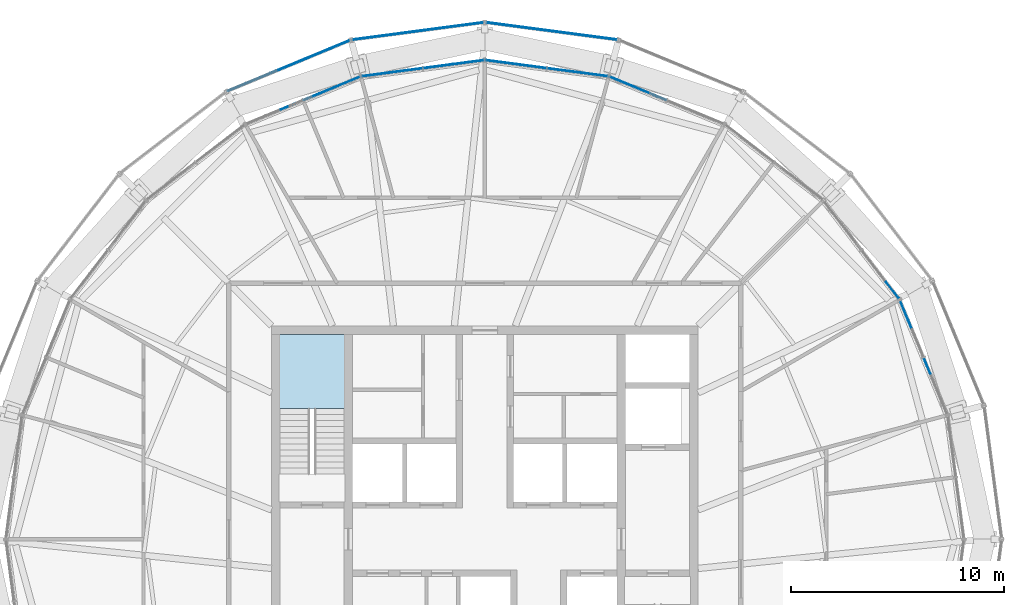
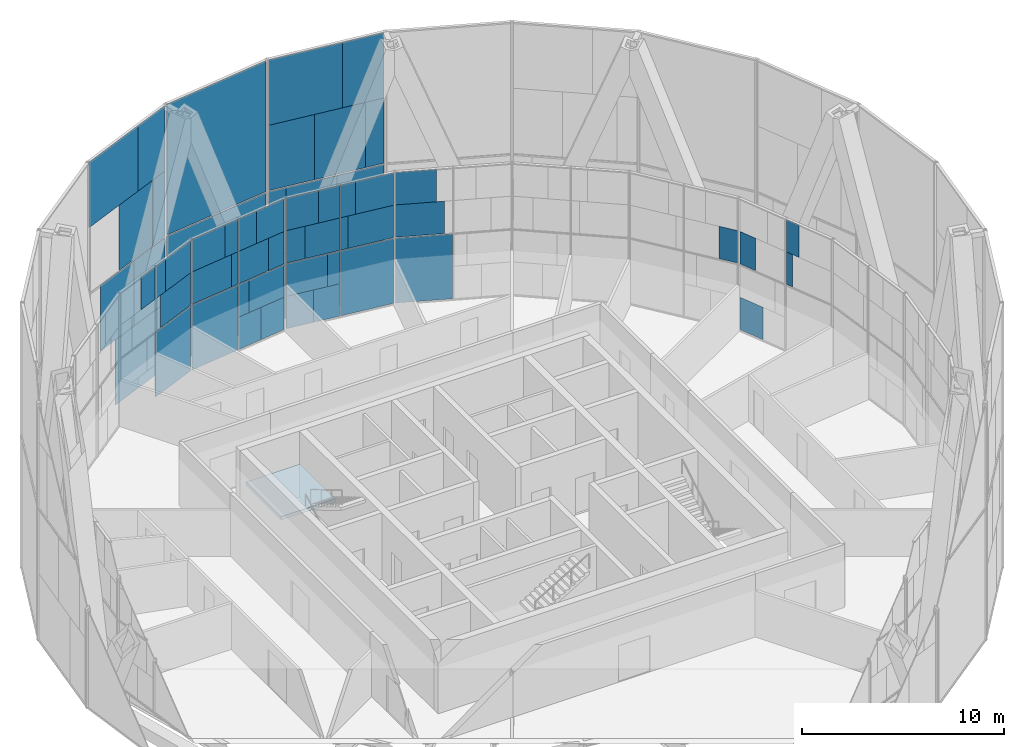
# One storey, part 16 of 22: 58 plates, 1 slab, 10 elements without a shape of their own.
"""IFC4 building model written with IfcOpenShell, lengths in metres."""

from ifc_helpers import new_model, si_unit, direction, frame, origin, origin_2d, place, context, subcontext, project, spatial, polyline, rectangle, outline, extrude, material, layer, layer_set, type_object, element, aggregate, save


model = new_model("IFC4")

# Units and contexts
model_context = context("Model", 3, precision=1e-05, world=origin(), true_north=direction((0.0, 1.0)))
body_context = subcontext(model_context, "Body", "Model", "MODEL_VIEW")
ifc_project = project(units=[si_unit("LENGTHUNIT", "METRE"), si_unit("AREAUNIT", "SQUARE_METRE"), si_unit("VOLUMEUNIT", "CUBIC_METRE"), si_unit("PLANEANGLEUNIT", "RADIAN"), si_unit("MASSUNIT", "GRAM", prefix="KILO")], contexts=[model_context])

# Site, building, storey
site_placement = place(None, origin())
site = spatial("IfcSite", under=ifc_project, at=site_placement, CompositionType="ELEMENT")
building_placement = place(site_placement, origin())
building = spatial("IfcBuilding", under=site, at=building_placement, Name="Golbaran Civic Tower", CompositionType="ELEMENT")
storey_placement = place(building_placement, frame((0.0, 0.0, 248.0)))
storey = spatial("IfcBuildingStorey", under=building, at=storey_placement, Name="L60", CompositionType="ELEMENT", Elevation=248.0)

# Curtain wall, plate
ifc_material_1 = material(Name="Aluminium and glass", Category="aluminium")
curtain_wall_type_1 = type_object("IfcCurtainWallType", Name="INNER SKIN CURTAIN WALL EXECUTIVE", PredefinedType="NOTDEFINED", material=ifc_material_1)
curtain_wall_1_placement = place(storey_placement, origin())
curtain_wall_1 = element("IfcCurtainWall", 1, at=curtain_wall_1_placement, inside=storey, type_object=curtain_wall_type_1, Name="Inner skin L60 facet 2 CW2", ObjectType="INNER SKIN", PredefinedType="USERDEFINED")
ifc_material_2 = material(Name="Clear insulating glass", Category="glass")
ifc_layer_1 = layer(ifc_material_2, 0.031982421875, Name="Clear insulating glass")
ifc_layer_set_1 = layer_set([ifc_layer_1], Name="Clear insulating glass")
plate_type_1 = type_object("IfcPlateType", Name="INNER SKIN CURTAIN WALL EXECUTIVE GLAZED PANEL", PredefinedType="CURTAIN_PANEL", material=ifc_layer_set_1)
plate_1_placement = place(storey_placement, frame((19.656982421875, 10.712158203125, 4.030029296875), z_axis=(0.0, 0.0, 1.0), x_axis=(-0.382683432381, 0.923879532505, 0.0)))
plate_1 = element("IfcPlate", 2, at=plate_1_placement, type_object=plate_type_1, Name="CW2 panel 2.2 part 2", PredefinedType="CURTAIN_PANEL", context=body_context, shape_type="SweptSolid", body=[
    extrude(rectangle(XDim=0.99267578125, YDim=0.031982421875, at=origin_2d()), origin(), (0.0, 0.0, 1.0), 1.955078125),
])

curtain_wall_2_placement = place(storey_placement, origin())
curtain_wall_2 = element("IfcCurtainWall", 3, at=curtain_wall_2_placement, inside=storey, type_object=curtain_wall_type_1, Name="Inner skin L60 facet 3 CW2", ObjectType="INNER SKIN", PredefinedType="USERDEFINED")
plate_2_placement = place(storey_placement, frame((19.105224609375, 11.66748046875, 4.030029296875), z_axis=(0.0, 0.0, 1.0), x_axis=(-0.608761429078, 0.793353340238, 0.0)))
plate_2 = element("IfcPlate", 4, at=plate_2_placement, type_object=plate_type_1, Name="CW2 panel 1.2 part 1", PredefinedType="CURTAIN_PANEL", context=body_context, shape_type="SweptSolid", body=[
    extrude(rectangle(XDim=0.992919921875, YDim=0.031982421875, at=origin_2d()), origin(), (0.0, 0.0, 1.0), 1.955078125),
])
aggregate(curtain_wall_2, [plate_2])

# Curtain wall, plates
curtain_wall_3_placement = place(storey_placement, origin())
curtain_wall_3 = element("IfcCurtainWall", 5, at=curtain_wall_3_placement, inside=storey, type_object=curtain_wall_type_1, Name="Inner skin L60 facet 5 CW2", ObjectType="INNER SKIN", PredefinedType="USERDEFINED")
plate_3_placement = place(storey_placement, frame((7.1787109375, 21.12060546875, 0.06005859375), z_axis=(0.0, 0.0, 1.0), x_axis=(-0.923879532505, 0.382683432381, 0.0)))
plate_3 = element("IfcPlate", 6, at=plate_3_placement, type_object=plate_type_1, Name="CW2 panel 2.1", PredefinedType="CURTAIN_PANEL", context=body_context, shape_type="SweptSolid", body=[
    extrude(rectangle(XDim=2.840576171875, YDim=0.031982421875, at=origin_2d()), origin(), (0.0, 0.0, 1.0), 3.909912109375),
])
plate_4_placement = place(storey_placement, frame((6.993896484375, 21.197021484375, 4.030029296875), z_axis=(0.0, 0.0, 1.0), x_axis=(-0.923879532505, 0.382683432381, 0.0)))
plate_4 = element("IfcPlate", 7, at=plate_4_placement, type_object=plate_type_1, Name="CW2 panel 2.2 part 2", PredefinedType="CURTAIN_PANEL", context=body_context, shape_type="SweptSolid", body=[
    extrude(rectangle(XDim=2.440673828125, YDim=0.031982421875, at=origin_2d()), origin(), (0.0, 0.0, 1.0), 1.955078125),
])
plate_5_placement = place(storey_placement, frame((6.810546875, 21.27294921875, 5.98486328125), z_axis=(0.0, 0.0, 1.0), x_axis=(-0.923879532505, 0.382683432381, 0.0)))
plate_5 = element("IfcPlate", 8, at=plate_5_placement, type_object=plate_type_1, Name="CW2 panel 2.2 part 4", PredefinedType="CURTAIN_PANEL", context=body_context, shape_type="SweptSolid", body=[
    extrude(rectangle(XDim=2.04345703125, YDim=0.031982421875, at=origin_2d()), origin(), (0.0, 0.0, 1.0), 1.955078125),
])
aggregate(curtain_wall_3, [plate_3, plate_4, plate_5])

curtain_wall_4_placement = place(storey_placement, origin())
curtain_wall_4 = element("IfcCurtainWall", 9, at=curtain_wall_4_placement, inside=storey, type_object=curtain_wall_type_1, Name="Inner skin L60 facet 6 CW2", ObjectType="INNER SKIN", PredefinedType="USERDEFINED")
plate_6_placement = place(storey_placement, frame((4.34326171875, 21.880126953125, 0.06005859375), z_axis=(0.0, 0.0, 1.0), x_axis=(-0.991444861378, 0.130526192185, 0.0)))
plate_6 = element("IfcPlate", 10, at=plate_6_placement, type_object=plate_type_1, Name="CW2 panel 1.1", PredefinedType="CURTAIN_PANEL", context=body_context, shape_type="SweptSolid", body=[
    extrude(rectangle(XDim=2.840576171875, YDim=0.031982421875, at=origin_2d()), origin(), (0.0, 0.0, 1.0), 3.909912109375),
])
plate_7_placement = place(storey_placement, frame((4.54248046875, 21.85400390625, 4.030029296875), z_axis=(0.0, 0.0, 1.0), x_axis=(-0.991444861378, 0.130526192185, 0.0)))
plate_7 = element("IfcPlate", 11, at=plate_7_placement, type_object=plate_type_1, Name="CW2 panel 1.2 part 1", PredefinedType="CURTAIN_PANEL", context=body_context, shape_type="SweptSolid", body=[
    extrude(rectangle(XDim=2.43896484375, YDim=0.031982421875, at=origin_2d()), origin(), (0.0, 0.0, 1.0), 1.955078125),
])
plate_8_placement = place(storey_placement, frame((4.73876953125, 21.828125, 5.98486328125), z_axis=(0.0, 0.0, 1.0), x_axis=(-0.991444861378, 0.130526192185, 0.0)))
plate_8 = element("IfcPlate", 12, at=plate_8_placement, type_object=plate_type_1, Name="CW2 panel 1.2 part 3", PredefinedType="CURTAIN_PANEL", context=body_context, shape_type="SweptSolid", body=[
    extrude(rectangle(XDim=2.04296875, YDim=0.031982421875, at=origin_2d()), origin(), (0.0, 0.0, 1.0), 1.955078125),
])
plate_9_placement = place(storey_placement, frame((2.190185546875, 22.16357421875, 0.06005859375), z_axis=(0.0, 0.0, 1.0), x_axis=(-0.991444861378, 0.130526192185, 0.0)))
plate_9 = element("IfcPlate", 13, at=plate_9_placement, type_object=plate_type_1, Name="CW2 panel 2.1 part 1", PredefinedType="CURTAIN_PANEL", context=body_context, shape_type="SweptSolid", body=[
    extrude(rectangle(XDim=1.383056640625, YDim=0.031982421875, at=origin_2d()), origin(), (0.0, 0.0, 1.0), 1.955078125),
])
plate_10_placement = place(storey_placement, frame((2.556396484375, 22.115478515625, 2.014892578125), z_axis=(0.0, 0.0, 1.0), x_axis=(-0.991444861378, 0.130526192185, 0.0)))
plate_10 = element("IfcPlate", 14, at=plate_10_placement, type_object=plate_type_1, Name="CW2 panel 2.1 part 3", PredefinedType="CURTAIN_PANEL", context=body_context, shape_type="SweptSolid", body=[
    extrude(rectangle(XDim=0.64404296875, YDim=0.031982421875, at=origin_2d()), origin(), (0.0, 0.0, 1.0), 1.955078125),
])
plate_11_placement = place(storey_placement, frame((0.551513671875, 22.37939453125, 4.030029296875), z_axis=(0.0, 0.0, 1.0), x_axis=(-0.991444861378, 0.130526192185, 0.0)))
plate_11 = element("IfcPlate", 15, at=plate_11_placement, type_object=plate_type_1, Name="CW2 panel 2.2 part 2", PredefinedType="CURTAIN_PANEL", context=body_context, shape_type="SweptSolid", body=[
    extrude(rectangle(XDim=0.99267578125, YDim=0.031982421875, at=origin_2d()), origin(), (0.0, 0.0, 1.0), 1.955078125),
])
plate_12_placement = place(storey_placement, frame((0.91845703125, 22.3310546875, 5.98486328125), z_axis=(0.0, 0.0, 1.0), x_axis=(-0.991444861378, 0.130526192185, 0.0)))
plate_12 = element("IfcPlate", 16, at=plate_12_placement, type_object=plate_type_1, Name="CW2 panel 2.2 part 4", PredefinedType="CURTAIN_PANEL", context=body_context, shape_type="SweptSolid", body=[
    extrude(rectangle(XDim=1.732666015625, YDim=0.031982421875, at=origin_2d()), origin(), (0.0, 0.0, 1.0), 1.955078125),
])

curtain_wall_5_placement = place(storey_placement, origin())
curtain_wall_5 = element("IfcCurtainWall", 17, at=curtain_wall_5_placement, inside=storey, type_object=curtain_wall_type_1, Name="Inner skin L60 facet 7 CW2", ObjectType="INNER SKIN", PredefinedType="USERDEFINED")
plate_13_placement = place(storey_placement, frame((-2.18994140625, 22.16357421875, 0.06005859375), z_axis=(0.0, 0.0, 1.0), x_axis=(-0.991444861378, -0.130526192185, 0.0)))
plate_13 = element("IfcPlate", 18, at=plate_13_placement, type_object=plate_type_1, Name="CW2 panel 1.1 part 2", PredefinedType="CURTAIN_PANEL", context=body_context, shape_type="SweptSolid", body=[
    extrude(rectangle(XDim=1.383544921875, YDim=0.031982421875, at=origin_2d()), origin(), (0.0, 0.0, 1.0), 1.955078125),
])
plate_14_placement = place(storey_placement, frame((-2.55615234375, 22.115478515625, 2.014892578125), z_axis=(0.0, 0.0, 1.0), x_axis=(-0.991444861378, -0.130526192185, 0.0)))
plate_14 = element("IfcPlate", 19, at=plate_14_placement, type_object=plate_type_1, Name="CW2 panel 1.1 part 4", PredefinedType="CURTAIN_PANEL", context=body_context, shape_type="SweptSolid", body=[
    extrude(rectangle(XDim=0.64453125, YDim=0.031982421875, at=origin_2d()), origin(), (0.0, 0.0, 1.0), 1.955078125),
])
plate_15_placement = place(storey_placement, frame((-0.5517578125, 22.37939453125, 4.030029296875), z_axis=(0.0, 0.0, 1.0), x_axis=(-0.991444861378, -0.130526192185, 0.0)))
plate_15 = element("IfcPlate", 20, at=plate_15_placement, type_object=plate_type_1, Name="CW2 panel 1.2 part 1", PredefinedType="CURTAIN_PANEL", context=body_context, shape_type="SweptSolid", body=[
    extrude(rectangle(XDim=0.992919921875, YDim=0.031982421875, at=origin_2d()), origin(), (0.0, 0.0, 1.0), 1.955078125),
])
plate_16_placement = place(storey_placement, frame((-0.91796875, 22.3310546875, 5.98486328125), z_axis=(0.0, 0.0, 1.0), x_axis=(-0.991444861378, -0.130526192185, 0.0)))
plate_16 = element("IfcPlate", 21, at=plate_16_placement, type_object=plate_type_1, Name="CW2 panel 1.2 part 3", PredefinedType="CURTAIN_PANEL", context=body_context, shape_type="SweptSolid", body=[
    extrude(rectangle(XDim=1.73193359375, YDim=0.031982421875, at=origin_2d()), origin(), (0.0, 0.0, 1.0), 1.955078125),
])
plate_17_placement = place(storey_placement, frame((-4.34326171875, 21.880126953125, 0.06005859375), z_axis=(0.0, 0.0, 1.0), x_axis=(-0.991444861378, -0.130526192185, 0.0)))
plate_17 = element("IfcPlate", 22, at=plate_17_placement, type_object=plate_type_1, Name="CW2 panel 2.1", PredefinedType="CURTAIN_PANEL", context=body_context, shape_type="SweptSolid", body=[
    extrude(rectangle(XDim=2.840576171875, YDim=0.031982421875, at=origin_2d()), origin(), (0.0, 0.0, 1.0), 3.909912109375),
])
plate_18_placement = place(storey_placement, frame((-4.541748046875, 21.85400390625, 4.030029296875), z_axis=(0.0, 0.0, 1.0), x_axis=(-0.991444861378, -0.130526192185, 0.0)))
plate_18 = element("IfcPlate", 23, at=plate_18_placement, type_object=plate_type_1, Name="CW2 panel 2.2 part 2", PredefinedType="CURTAIN_PANEL", context=body_context, shape_type="SweptSolid", body=[
    extrude(rectangle(XDim=2.440673828125, YDim=0.031982421875, at=origin_2d()), origin(), (0.0, 0.0, 1.0), 1.955078125),
])
plate_19_placement = place(storey_placement, frame((-4.738525390625, 21.828125, 5.98486328125), z_axis=(0.0, 0.0, 1.0), x_axis=(-0.991444861378, -0.130526192185, 0.0)))
plate_19 = element("IfcPlate", 24, at=plate_19_placement, type_object=plate_type_1, Name="CW2 panel 2.2 part 4", PredefinedType="CURTAIN_PANEL", context=body_context, shape_type="SweptSolid", body=[
    extrude(rectangle(XDim=2.04345703125, YDim=0.031982421875, at=origin_2d()), origin(), (0.0, 0.0, 1.0), 1.955078125),
])

curtain_wall_6_placement = place(storey_placement, origin())
curtain_wall_6 = element("IfcCurtainWall", 25, at=curtain_wall_6_placement, inside=storey, type_object=curtain_wall_type_1, Name="Inner skin L60 facet 8 CW2", ObjectType="INNER SKIN", PredefinedType="USERDEFINED")
plate_20_placement = place(storey_placement, frame((-7.1787109375, 21.12060546875, 0.06005859375), z_axis=(0.0, 0.0, 1.0), x_axis=(-0.923879532505, -0.382683432381, 0.0)))
plate_20 = element("IfcPlate", 26, at=plate_20_placement, type_object=plate_type_1, Name="CW2 panel 1.1", PredefinedType="CURTAIN_PANEL", context=body_context, shape_type="SweptSolid", body=[
    extrude(rectangle(XDim=2.840576171875, YDim=0.031982421875, at=origin_2d()), origin(), (0.0, 0.0, 1.0), 3.909912109375),
])
plate_21_placement = place(storey_placement, frame((-6.9931640625, 21.197265625, 4.030029296875), z_axis=(0.0, 0.0, 1.0), x_axis=(-0.923879532505, -0.382683432381, 0.0)))
plate_21 = element("IfcPlate", 27, at=plate_21_placement, type_object=plate_type_1, Name="CW2 panel 1.2 part 1", PredefinedType="CURTAIN_PANEL", context=body_context, shape_type="SweptSolid", body=[
    extrude(rectangle(XDim=2.43896484375, YDim=0.031982421875, at=origin_2d()), origin(), (0.0, 0.0, 1.0), 1.955078125),
])
plate_22_placement = place(storey_placement, frame((-6.810302734375, 21.273193359375, 5.98486328125), z_axis=(0.0, 0.0, 1.0), x_axis=(-0.923879532505, -0.382683432381, 0.0)))
plate_22 = element("IfcPlate", 28, at=plate_22_placement, type_object=plate_type_1, Name="CW2 panel 1.2 part 3", PredefinedType="CURTAIN_PANEL", context=body_context, shape_type="SweptSolid", body=[
    extrude(rectangle(XDim=2.04296875, YDim=0.031982421875, at=origin_2d()), origin(), (0.0, 0.0, 1.0), 1.955078125),
])

# Plate
ifc_material_3 = material(Name="Aluminium faced opaque infill panel", Category="aluminium")
ifc_layer_2 = layer(ifc_material_3, 0.031982421875, Name="Aluminium faced opaque infill panel")
ifc_layer_set_2 = layer_set([ifc_layer_2], Name="Aluminium faced opaque infill panel")
plate_type_2 = type_object("IfcPlateType", Name="INNER SKIN CURTAIN WALL EXECUTIVE OPAQUE INFILL PANEL", PredefinedType="CURTAIN_PANEL", material=ifc_layer_set_2)
plate_23_placement = place(storey_placement, frame((20.65380859375, 8.30517578125, 4.030029296875), z_axis=(0.0, 0.0, 1.0), x_axis=(-0.382683432381, 0.923879532505, 0.0)))
plate_23 = element("IfcPlate", 29, at=plate_23_placement, type_object=plate_type_2, Name="CW2 infill panel 1.2 part 2", PredefinedType="CURTAIN_PANEL", context=body_context, shape_type="SweptSolid", body=[
    extrude(rectangle(XDim=0.401611328125, YDim=0.031982421875, at=origin_2d()), origin(), (0.0, 0.0, 1.0), 1.955078125),
])

plate_24_placement = place(storey_placement, frame((20.7294921875, 8.122314453125, 5.98486328125), z_axis=(0.0, 0.0, 1.0), x_axis=(-0.382683432381, 0.923879532505, 0.0)))
plate_24 = element("IfcPlate", 30, at=plate_24_placement, type_object=plate_type_2, Name="CW2 infill panel 1.2 part 4", PredefinedType="CURTAIN_PANEL", context=body_context, shape_type="SweptSolid", body=[
    extrude(rectangle(XDim=0.797607421875, YDim=0.031982421875, at=origin_2d()), origin(), (0.0, 0.0, 1.0), 1.955078125),
])

plate_25_placement = place(storey_placement, frame((19.745849609375, 10.497314453125, 0.06005859375), z_axis=(0.0, 0.0, 1.0), x_axis=(-0.382683432381, 0.923879532505, 0.0)))
plate_25 = element("IfcPlate", 31, at=plate_25_placement, type_object=plate_type_2, Name="CW2 infill panel 2.1 part 2", PredefinedType="CURTAIN_PANEL", context=body_context, shape_type="SweptSolid", body=[
    extrude(rectangle(XDim=1.45751953125, YDim=0.031982421875, at=origin_2d()), origin(), (0.0, 0.0, 1.0), 1.955078125),
])

aggregate(curtain_wall_1, [plate_23, plate_24, plate_25, plate_1])

plate_26_placement = place(storey_placement, frame((3.13427734375, 22.039306640625, 4.030029296875), z_axis=(0.0, 0.0, 1.0), x_axis=(-0.991444861378, 0.130526192185, 0.0)))
plate_26 = element("IfcPlate", 32, at=plate_26_placement, type_object=plate_type_2, Name="CW2 infill panel 1.2 part 2", PredefinedType="CURTAIN_PANEL", context=body_context, shape_type="SweptSolid", body=[
    extrude(rectangle(XDim=0.401611328125, YDim=0.031982421875, at=origin_2d()), origin(), (0.0, 0.0, 1.0), 1.955078125),
])

plate_27_placement = place(storey_placement, frame((3.33056640625, 22.013427734375, 5.98486328125), z_axis=(0.0, 0.0, 1.0), x_axis=(-0.991444861378, 0.130526192185, 0.0)))
plate_27 = element("IfcPlate", 33, at=plate_27_placement, type_object=plate_type_2, Name="CW2 infill panel 1.2 part 4", PredefinedType="CURTAIN_PANEL", context=body_context, shape_type="SweptSolid", body=[
    extrude(rectangle(XDim=0.797607421875, YDim=0.031982421875, at=origin_2d()), origin(), (0.0, 0.0, 1.0), 1.955078125),
])

plate_28_placement = place(storey_placement, frame((0.781982421875, 22.34912109375, 0.06005859375), z_axis=(0.0, 0.0, 1.0), x_axis=(-0.991444861378, 0.130526192185, 0.0)))
plate_28 = element("IfcPlate", 34, at=plate_28_placement, type_object=plate_type_2, Name="CW2 infill panel 2.1 part 2", PredefinedType="CURTAIN_PANEL", context=body_context, shape_type="SweptSolid", body=[
    extrude(rectangle(XDim=1.45751953125, YDim=0.031982421875, at=origin_2d()), origin(), (0.0, 0.0, 1.0), 1.955078125),
])

plate_29_placement = place(storey_placement, frame((1.1484375, 22.30078125, 2.014892578125), z_axis=(0.0, 0.0, 1.0), x_axis=(-0.991444861378, 0.130526192185, 0.0)))
plate_29 = element("IfcPlate", 35, at=plate_29_placement, type_object=plate_type_2, Name="CW2 infill panel 2.1 part 4", PredefinedType="CURTAIN_PANEL", context=body_context, shape_type="SweptSolid", body=[
    extrude(rectangle(XDim=2.196533203125, YDim=0.031982421875, at=origin_2d()), origin(), (0.0, 0.0, 1.0), 1.955078125),
])

plate_30_placement = place(storey_placement, frame((1.959716796875, 22.194091796875, 4.030029296875), z_axis=(0.0, 0.0, 1.0), x_axis=(-0.991444861378, 0.130526192185, 0.0)))
plate_30 = element("IfcPlate", 36, at=plate_30_placement, type_object=plate_type_2, Name="CW2 infill panel 2.2 part 1", PredefinedType="CURTAIN_PANEL", context=body_context, shape_type="SweptSolid", body=[
    extrude(rectangle(XDim=1.847900390625, YDim=0.031982421875, at=origin_2d()), origin(), (0.0, 0.0, 1.0), 1.955078125),
])

plate_31_placement = place(storey_placement, frame((2.326416015625, 22.145751953125, 5.98486328125), z_axis=(0.0, 0.0, 1.0), x_axis=(-0.991444861378, 0.130526192185, 0.0)))
plate_31 = element("IfcPlate", 37, at=plate_31_placement, type_object=plate_type_2, Name="CW2 infill panel 2.2 part 3", PredefinedType="CURTAIN_PANEL", context=body_context, shape_type="SweptSolid", body=[
    extrude(rectangle(XDim=1.10791015625, YDim=0.031982421875, at=origin_2d()), origin(), (0.0, 0.0, 1.0), 1.955078125),
])

aggregate(curtain_wall_4, [plate_6, plate_7, plate_26, plate_8, plate_27, plate_9, plate_28, plate_10, plate_29, plate_30, plate_11, plate_31, plate_12])

plate_32_placement = place(storey_placement, frame((-0.78173828125, 22.34912109375, 0.06005859375), z_axis=(0.0, 0.0, 1.0), x_axis=(-0.991444861378, -0.130526192185, 0.0)))
plate_32 = element("IfcPlate", 38, at=plate_32_placement, type_object=plate_type_2, Name="CW2 infill panel 1.1 part 1", PredefinedType="CURTAIN_PANEL", context=body_context, shape_type="SweptSolid", body=[
    extrude(rectangle(XDim=1.45703125, YDim=0.031982421875, at=origin_2d()), origin(), (0.0, 0.0, 1.0), 1.955078125),
])

plate_33_placement = place(storey_placement, frame((-1.148193359375, 22.30078125, 2.014892578125), z_axis=(0.0, 0.0, 1.0), x_axis=(-0.991444861378, -0.130526192185, 0.0)))
plate_33 = element("IfcPlate", 39, at=plate_33_placement, type_object=plate_type_2, Name="CW2 infill panel 1.1 part 3", PredefinedType="CURTAIN_PANEL", context=body_context, shape_type="SweptSolid", body=[
    extrude(rectangle(XDim=2.196044921875, YDim=0.031982421875, at=origin_2d()), origin(), (0.0, 0.0, 1.0), 1.955078125),
])

plate_34_placement = place(storey_placement, frame((-1.9599609375, 22.194091796875, 4.030029296875), z_axis=(0.0, 0.0, 1.0), x_axis=(-0.991444861378, -0.130526192185, 0.0)))
plate_34 = element("IfcPlate", 40, at=plate_34_placement, type_object=plate_type_2, Name="CW2 infill panel 1.2 part 2", PredefinedType="CURTAIN_PANEL", context=body_context, shape_type="SweptSolid", body=[
    extrude(rectangle(XDim=1.84765625, YDim=0.031982421875, at=origin_2d()), origin(), (0.0, 0.0, 1.0), 1.955078125),
])

plate_35_placement = place(storey_placement, frame((-2.326171875, 22.145751953125, 5.98486328125), z_axis=(0.0, 0.0, 1.0), x_axis=(-0.991444861378, -0.130526192185, 0.0)))
plate_35 = element("IfcPlate", 41, at=plate_35_placement, type_object=plate_type_2, Name="CW2 infill panel 1.2 part 4", PredefinedType="CURTAIN_PANEL", context=body_context, shape_type="SweptSolid", body=[
    extrude(rectangle(XDim=1.108642578125, YDim=0.031982421875, at=origin_2d()), origin(), (0.0, 0.0, 1.0), 1.955078125),
])

plate_36_placement = place(storey_placement, frame((-3.133544921875, 22.03955078125, 4.030029296875), z_axis=(0.0, 0.0, 1.0), x_axis=(-0.991444861378, -0.130526192185, 0.0)))
plate_36 = element("IfcPlate", 42, at=plate_36_placement, type_object=plate_type_2, Name="CW2 infill panel 2.2 part 1", PredefinedType="CURTAIN_PANEL", context=body_context, shape_type="SweptSolid", body=[
    extrude(rectangle(XDim=0.39990234375, YDim=0.031982421875, at=origin_2d()), origin(), (0.0, 0.0, 1.0), 1.955078125),
])

plate_37_placement = place(storey_placement, frame((-3.330322265625, 22.013671875, 5.98486328125), z_axis=(0.0, 0.0, 1.0), x_axis=(-0.991444861378, -0.130526192185, 0.0)))
plate_37 = element("IfcPlate", 43, at=plate_37_placement, type_object=plate_type_2, Name="CW2 infill panel 2.2 part 3", PredefinedType="CURTAIN_PANEL", context=body_context, shape_type="SweptSolid", body=[
    extrude(rectangle(XDim=0.797119140625, YDim=0.031982421875, at=origin_2d()), origin(), (0.0, 0.0, 1.0), 1.955078125),
])

aggregate(curtain_wall_5, [plate_32, plate_13, plate_33, plate_14, plate_15, plate_34, plate_16, plate_35, plate_17, plate_36, plate_18, plate_37, plate_19])

plate_38_placement = place(storey_placement, frame((-8.122314453125, 20.7294921875, 5.98486328125), z_axis=(0.0, 0.0, 1.0), x_axis=(-0.923879532505, -0.382683432381, 0.0)))
plate_38 = element("IfcPlate", 44, at=plate_38_placement, type_object=plate_type_2, Name="CW2 infill panel 1.2 part 4", PredefinedType="CURTAIN_PANEL", context=body_context, shape_type="SweptSolid", body=[
    extrude(rectangle(XDim=0.797607421875, YDim=0.031982421875, at=origin_2d()), origin(), (0.0, 0.0, 1.0), 1.955078125),
])

plate_39_placement = place(storey_placement, frame((-9.05810546875, 20.342041015625, 5.98486328125), z_axis=(0.0, 0.0, 1.0), x_axis=(-0.923879532505, -0.382683432381, 0.0)))
plate_39 = element("IfcPlate", 45, at=plate_39_placement, type_object=plate_type_2, Name="CW2 infill panel 2.2 part 3", PredefinedType="CURTAIN_PANEL", context=body_context, shape_type="SweptSolid", body=[
    extrude(rectangle(XDim=1.10791015625, YDim=0.031982421875, at=origin_2d()), origin(), (0.0, 0.0, 1.0), 1.955078125),
])

aggregate(curtain_wall_6, [plate_20, plate_21, plate_22, plate_38, plate_39])

# Curtain wall, plates
curtain_wall_type_2 = type_object("IfcCurtainWallType", Name="OUTER SKIN TERRACOTTA SCREEN", PredefinedType="NOTDEFINED", material=ifc_material_1)
curtain_wall_7_placement = place(storey_placement, origin())
curtain_wall_7 = element("IfcCurtainWall", 46, at=curtain_wall_7_placement, inside=storey, type_object=curtain_wall_type_2, Name="Outer skin L60 facet 6 CW3", ObjectType="OUTER SKIN", PredefinedType="USERDEFINED")
ifc_material_4 = material(Name="Clear laminated glass", Category="glass")
ifc_layer_3 = layer(ifc_material_4, 0.0400390625, Name="Clear laminated glass")
ifc_layer_set_3 = layer_set([ifc_layer_3], Name="Clear laminated glass")
plate_type_3 = type_object("IfcPlateType", Name="OUTER SKIN CLEAR GLASS PANEL", PredefinedType="CURTAIN_PANEL", material=ifc_layer_set_3)
plate_40_placement = place(storey_placement, frame((4.20458984375, 23.66943359375, -0.6298828125), z_axis=(0.0, 0.0, 1.0), x_axis=(-0.991444861372, 0.130526192237, 0.0)))
plate_40 = element("IfcPlate", 47, at=plate_40_placement, type_object=plate_type_3, Name="CW3 panel 1.1 part 1", PredefinedType="CURTAIN_PANEL", context=body_context, shape_type="SweptSolid", body=[
    extrude(rectangle(XDim=4.0048828125, YDim=0.0400390625, at=origin_2d()), origin(), (0.0, 0.0, 1.0), 3.93994140625),
])
plate_41_placement = place(storey_placement, frame((4.943359375, 23.572265625, 3.31005859375), z_axis=(0.0, 0.0, 1.0), x_axis=(-0.991444861372, 0.130526192237, 0.0)))
plate_41 = element("IfcPlate", 48, at=plate_41_placement, type_object=plate_type_3, Name="CW3 panel 1.1 part 3", PredefinedType="CURTAIN_PANEL", context=body_context, shape_type="SweptSolid", body=[
    extrude(rectangle(XDim=2.514892578125, YDim=0.0400390625, at=origin_2d()), origin(), (0.0, 0.0, 1.0), 3.93994140625),
])
plate_42_placement = place(storey_placement, frame((0.541015625, 24.15185546875, 3.31005859375), z_axis=(0.0, 0.0, 1.0), x_axis=(-0.991444861372, 0.130526192237, 0.0)))
plate_42 = element("IfcPlate", 49, at=plate_42_placement, type_object=plate_type_3, Name="CW3 panel 1.1 part 5", PredefinedType="CURTAIN_PANEL", context=body_context, shape_type="SweptSolid", body=[
    extrude(rectangle(XDim=0.931396484375, YDim=0.0400390625, at=origin_2d()), origin(), (0.0, 0.0, 1.0), 3.93994140625),
])
plate_43_placement = place(storey_placement, frame((5.69677734375, 23.472900390625, 7.330078125), z_axis=(0.0, 0.0, 1.0), x_axis=(-0.991444861372, 0.130526192237, 0.0)))
plate_43 = element("IfcPlate", 50, at=plate_43_placement, type_object=plate_type_3, Name="CW3 panel 1.2 part 1", PredefinedType="CURTAIN_PANEL", context=body_context, shape_type="SweptSolid", body=[
    extrude(rectangle(XDim=0.9951171875, YDim=0.0400390625, at=origin_2d()), origin(), (0.0, 0.0, 1.0), 3.93994140625),
])
plate_44_placement = place(storey_placement, frame((1.295166015625, 24.052490234375, 7.330078125), z_axis=(0.0, 0.0, 1.0), x_axis=(-0.991444861372, 0.130526192237, 0.0)))
plate_44 = element("IfcPlate", 51, at=plate_44_placement, type_object=plate_type_3, Name="CW3 panel 1.2 part 3", PredefinedType="CURTAIN_PANEL", context=body_context, shape_type="SweptSolid", body=[
    extrude(rectangle(XDim=2.452392578125, YDim=0.0400390625, at=origin_2d()), origin(), (0.0, 0.0, 1.0), 3.93994140625),
])
plate_45_placement = place(storey_placement, frame((2.03759765625, 23.954833984375, 11.27001953125), z_axis=(0.0, 0.0, 1.0), x_axis=(-0.991444861372, 0.130526192237, 0.0)))
plate_45 = element("IfcPlate", 52, at=plate_45_placement, type_object=plate_type_3, Name="CW3 panel 1.2 part 5", PredefinedType="CURTAIN_PANEL", context=body_context, shape_type="SweptSolid", body=[
    extrude(rectangle(XDim=3.950439453125, YDim=0.0400390625, at=origin_2d()), origin(), (0.0, 0.0, 1.0), 3.93994140625),
])

curtain_wall_8_placement = place(storey_placement, origin())
curtain_wall_8 = element("IfcCurtainWall", 53, at=curtain_wall_8_placement, inside=storey, type_object=curtain_wall_type_2, Name="Outer skin L60 facet 8 CW3", ObjectType="OUTER SKIN", PredefinedType="USERDEFINED")
plate_46_placement = place(storey_placement, frame((-8.193359375, 22.6005859375, -0.6298828125), z_axis=(0.0, 0.0, 1.0), x_axis=(-0.923879532518, -0.382683432349, 0.0)))
plate_46 = element("IfcPlate", 54, at=plate_46_placement, type_object=plate_type_3, Name="CW3 panel 1.1 part 1", PredefinedType="CURTAIN_PANEL", context=body_context, shape_type="SweptSolid", body=[
    extrude(rectangle(XDim=4.0048828125, YDim=0.0400390625, at=origin_2d()), origin(), (0.0, 0.0, 1.0), 3.93994140625),
])
plate_47_placement = place(storey_placement, frame((-7.505126953125, 22.8857421875, 3.31005859375), z_axis=(0.0, 0.0, 1.0), x_axis=(-0.923879532518, -0.382683432349, 0.0)))
plate_47 = element("IfcPlate", 55, at=plate_47_placement, type_object=plate_type_3, Name="CW3 panel 1.1 part 3", PredefinedType="CURTAIN_PANEL", context=body_context, shape_type="SweptSolid", body=[
    extrude(rectangle(XDim=2.514892578125, YDim=0.0400390625, at=origin_2d()), origin(), (0.0, 0.0, 1.0), 3.93994140625),
])
plate_48_placement = place(storey_placement, frame((-6.802978515625, 23.176513671875, 7.330078125), z_axis=(0.0, 0.0, 1.0), x_axis=(-0.923879532518, -0.382683432349, 0.0)))
plate_48 = element("IfcPlate", 56, at=plate_48_placement, type_object=plate_type_3, Name="CW3 panel 1.2 part 1", PredefinedType="CURTAIN_PANEL", context=body_context, shape_type="SweptSolid", body=[
    extrude(rectangle(XDim=0.9951171875, YDim=0.0400390625, at=origin_2d()), origin(), (0.0, 0.0, 1.0), 3.93994140625),
])
plate_49_placement = place(storey_placement, frame((-10.212646484375, 21.76416015625, 11.27001953125), z_axis=(0.0, 0.0, 1.0), x_axis=(-0.923879532518, -0.382683432349, 0.0)))
plate_49 = element("IfcPlate", 57, at=plate_49_placement, type_object=plate_type_3, Name="CW3 panel 1.2 part 5", PredefinedType="CURTAIN_PANEL", context=body_context, shape_type="SweptSolid", body=[
    extrude(rectangle(XDim=3.950439453125, YDim=0.0400390625, at=origin_2d()), origin(), (0.0, 0.0, 1.0), 3.93994140625),
])

# Plate
ifc_material_5 = material(Name="Terracotta baguette screen", Category="masonry")
ifc_layer_4 = layer(ifc_material_5, 0.0400390625, Name="Terracotta baguette screen")
ifc_layer_set_4 = layer_set([ifc_layer_4], Name="Terracotta baguette screen")
plate_type_4 = type_object("IfcPlateType", Name="OUTER SKIN TERRACOTTA INFILL PANEL", PredefinedType="CURTAIN_PANEL", material=ifc_layer_set_4)
plate_50_placement = place(storey_placement, frame((1.1494140625, 24.07177734375, -0.6298828125), z_axis=(0.0, 0.0, 1.0), x_axis=(-0.991444861372, 0.130526192237, 0.0)))
plate_50 = element("IfcPlate", 58, at=plate_50_placement, type_object=plate_type_4, Name="CW3 infill panel 1.1 part 2", PredefinedType="CURTAIN_PANEL", context=body_context, shape_type="SweptSolid", body=[
    extrude(rectangle(XDim=2.158447265625, YDim=0.0400390625, at=origin_2d()), origin(), (0.0, 0.0, 1.0), 3.93994140625),
])

plate_51_placement = place(storey_placement, frame((2.349609375, 23.91357421875, 3.31005859375), z_axis=(0.0, 0.0, 1.0), x_axis=(-0.991444861372, 0.130526192237, 0.0)))
plate_51 = element("IfcPlate", 59, at=plate_51_placement, type_object=plate_type_4, Name="CW3 infill panel 1.1 part 4", PredefinedType="CURTAIN_PANEL", context=body_context, shape_type="SweptSolid", body=[
    extrude(rectangle(XDim=2.717041015625, YDim=0.0400390625, at=origin_2d()), origin(), (0.0, 0.0, 1.0), 3.93994140625),
])

plate_52_placement = place(storey_placement, frame((3.857177734375, 23.715087890625, 7.330078125), z_axis=(0.0, 0.0, 1.0), x_axis=(-0.991444861372, 0.130526192237, 0.0)))
plate_52 = element("IfcPlate", 60, at=plate_52_placement, type_object=plate_type_4, Name="CW3 infill panel 1.2 part 2", PredefinedType="CURTAIN_PANEL", context=body_context, shape_type="SweptSolid", body=[
    extrude(rectangle(XDim=2.716064453125, YDim=0.0400390625, at=origin_2d()), origin(), (0.0, 0.0, 1.0), 3.93994140625),
])

plate_53_placement = place(storey_placement, frame((5.093017578125, 23.552490234375, 11.27001953125), z_axis=(0.0, 0.0, 1.0), x_axis=(-0.991444861372, 0.130526192237, 0.0)))
plate_53 = element("IfcPlate", 61, at=plate_53_placement, type_object=plate_type_4, Name="CW3 infill panel 1.2 part 4", PredefinedType="CURTAIN_PANEL", context=body_context, shape_type="SweptSolid", body=[
    extrude(rectangle(XDim=2.212890625, YDim=0.0400390625, at=origin_2d()), origin(), (0.0, 0.0, 1.0), 3.93994140625),
])

aggregate(curtain_wall_7, [plate_40, plate_50, plate_41, plate_51, plate_42, plate_43, plate_52, plate_44, plate_53, plate_45])

plate_54_placement = place(storey_placement, frame((-9.921875, 21.884765625, 3.31005859375), z_axis=(0.0, 0.0, 1.0), x_axis=(-0.923879532518, -0.382683432349, 0.0)))
plate_54 = element("IfcPlate", 62, at=plate_54_placement, type_object=plate_type_4, Name="CW3 infill panel 1.1 part 4", PredefinedType="CURTAIN_PANEL", context=body_context, shape_type="SweptSolid", body=[
    extrude(rectangle(XDim=2.717041015625, YDim=0.0400390625, at=origin_2d()), origin(), (0.0, 0.0, 1.0), 3.93994140625),
])

plate_55_placement = place(storey_placement, frame((-8.51708984375, 22.466552734375, 7.330078125), z_axis=(0.0, 0.0, 1.0), x_axis=(-0.923879532518, -0.382683432349, 0.0)))
plate_55 = element("IfcPlate", 63, at=plate_55_placement, type_object=plate_type_4, Name="CW3 infill panel 1.2 part 2", PredefinedType="CURTAIN_PANEL", context=body_context, shape_type="SweptSolid", body=[
    extrude(rectangle(XDim=2.716064453125, YDim=0.0400390625, at=origin_2d()), origin(), (0.0, 0.0, 1.0), 3.93994140625),
])

plate_56_placement = place(storey_placement, frame((-7.365478515625, 22.943603515625, 11.27001953125), z_axis=(0.0, 0.0, 1.0), x_axis=(-0.923879532518, -0.382683432349, 0.0)))
plate_56 = element("IfcPlate", 64, at=plate_56_placement, type_object=plate_type_4, Name="CW3 infill panel 1.2 part 4", PredefinedType="CURTAIN_PANEL", context=body_context, shape_type="SweptSolid", body=[
    extrude(rectangle(XDim=2.212890625, YDim=0.0400390625, at=origin_2d()), origin(), (0.0, 0.0, 1.0), 3.93994140625),
])

aggregate(curtain_wall_8, [plate_46, plate_47, plate_54, plate_48, plate_55, plate_56, plate_49])

# Curtain wall, plates
curtain_wall_9_placement = place(storey_placement, origin())
curtain_wall_9 = element("IfcCurtainWall", 65, at=curtain_wall_9_placement, inside=storey, type_object=curtain_wall_type_2, Name="Outer skin L60 facet 7 CW3", ObjectType="OUTER SKIN", PredefinedType="USERDEFINED")
ifc_layer_5 = layer(ifc_material_5, 0.0400390625, Name="Terracotta baguette screen")
ifc_layer_set_5 = layer_set([ifc_layer_5], Name="Terracotta baguette screen")
plate_type_5 = type_object("IfcPlateType", Name="OUTER SKIN TERRACOTTA SCREEN PANEL", PredefinedType="CURTAIN_PANEL", material=ifc_layer_set_5)
plate_57_placement = place(storey_placement, frame((-3.134765625, 23.810302734375, -0.6298828125), z_axis=(0.0, 0.0, 1.0), x_axis=(-0.991444861372, -0.130526192237, 0.0)))
plate_57 = element("IfcPlate", 66, at=plate_57_placement, type_object=plate_type_5, Name="CW3 terracotta screen panel 1.1", PredefinedType="CURTAIN_PANEL", context=body_context, shape_type="SweptSolid", body=[
    extrude(rectangle(XDim=6.16357421875, YDim=0.0400390625, at=origin_2d()), origin(), (0.0, 0.0, 1.0), 7.8798828125),
])
plate_58_placement = place(storey_placement, frame((-3.134765625, 23.810302734375, 7.330078125), z_axis=(0.0, 0.0, 1.0), x_axis=(-0.991444861372, -0.130526192237, 0.0)))
plate_58 = element("IfcPlate", 67, at=plate_58_placement, type_object=plate_type_5, Name="CW3 terracotta screen panel 1.2", PredefinedType="CURTAIN_PANEL", context=body_context, shape_type="SweptSolid", body=[
    extrude(rectangle(XDim=6.16357421875, YDim=0.0400390625, at=origin_2d()), origin(), (0.0, 0.0, 1.0), 7.8798828125),
])
aggregate(curtain_wall_9, [plate_57, plate_58])

# Stair, slab
ifc_material_6 = material(Name="Concrete C35/45", Category="concrete")
stair_type = type_object("IfcStairType", Name="EXIT STAIR 3000 x 7850, 4000 RISE", PredefinedType="HALF_TURN_STAIR", material=ifc_material_6)
stair_placement = place(storey_placement, origin())
stair = element("IfcStair", 68, at=stair_placement, inside=storey, type_object=stair_type, Name="Stair S1 L60", PredefinedType="HALF_TURN_STAIR")
ifc_layer_6 = layer(ifc_material_6, 0.199951171875, Name="Concrete C35/45")
ifc_layer_set_6 = layer_set([ifc_layer_6], Name="Concrete C35/45")
slab_type = type_object("IfcSlabType", Name="STAIR LANDING 200", PredefinedType="LANDING", material=ifc_layer_set_6)
slab_placement = place(storey_placement, frame((0.0, 0.0, 1.800048828125)))
slab = element("IfcSlab", 69, at=slab_placement, type_object=slab_type, Name="ST30078-40 landing 1", PredefinedType="LANDING", context=body_context, shape_type="SweptSolid", body=[
    extrude(outline(polyline([(-9.64990234375, 6.125), (-9.64990234375, 9.60009765625), (-6.550048828125, 9.60009765625), (-6.550048828125, 6.125), (-9.64990234375, 6.125)])), origin(), (0.0, 0.0, 1.0), 0.199951171875),
])
aggregate(stair, [slab])

save(model, "model.ifc")
